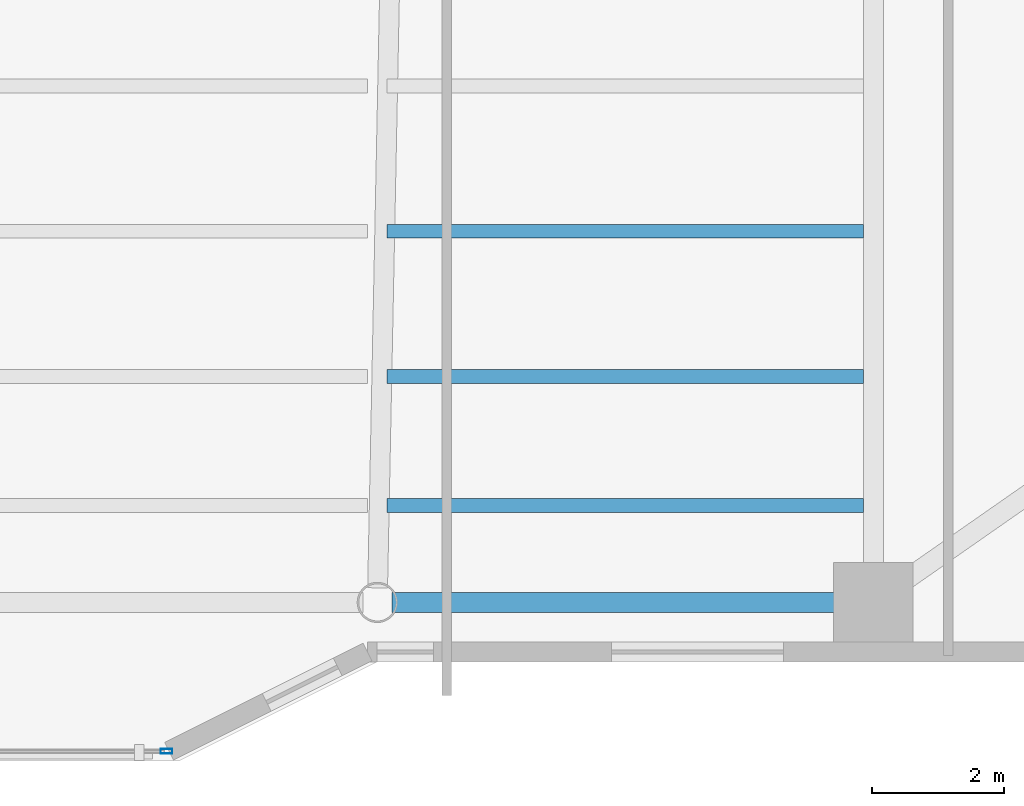
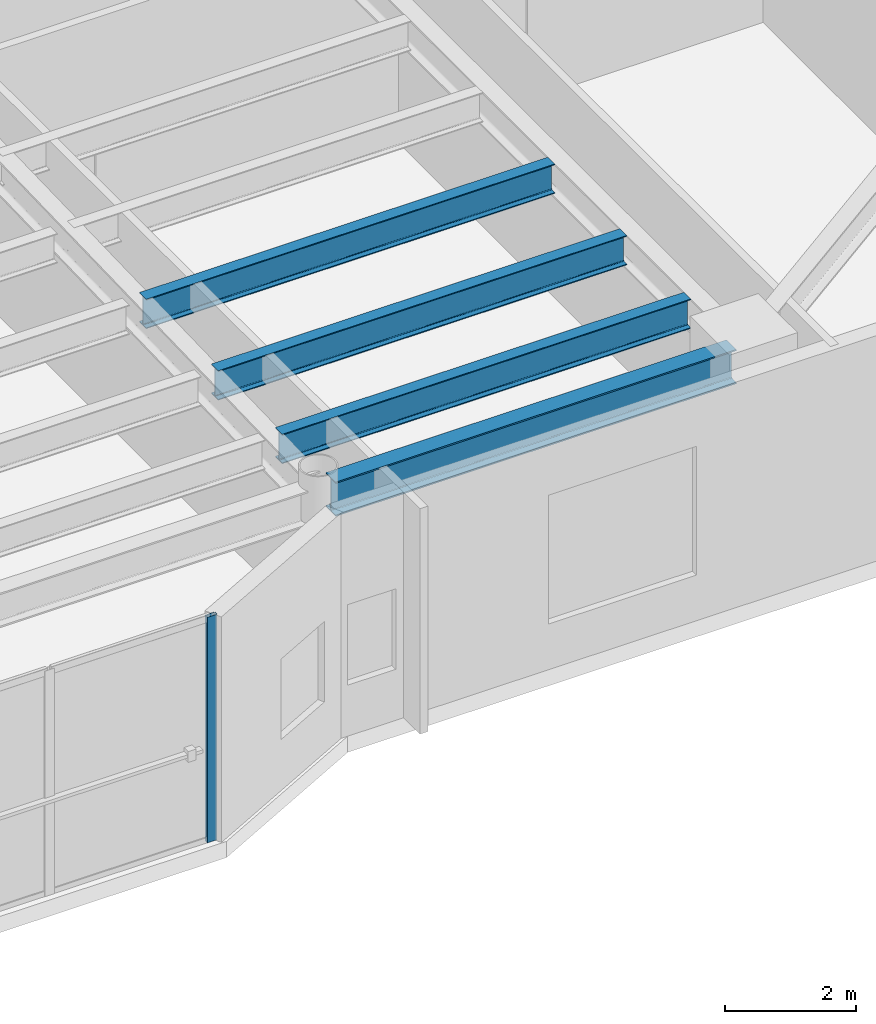
# One storey, part 11 of 40: 4 beams, 1 member, 1 element without a shape of its own.
"""IFC4 building model written with IfcOpenShell, lengths in metres."""

from ifc_helpers import new_model, si_unit, direction, frame, origin, origin_2d, place, context, subcontext, project, spatial, hollow_rectangle, i_section, extrude, material, layer, layer_set, material_profile, profile_set, type_object, element, aggregate, save


model = new_model("IFC4")

# Units and contexts
model_context = context("Model", 3, precision=1e-05, world=origin(), true_north=direction((0.0, 1.0)))
body_context = subcontext(model_context, "Body", "Model", "MODEL_VIEW")
ifc_project = project(units=[si_unit("LENGTHUNIT", "METRE"), si_unit("AREAUNIT", "SQUARE_METRE"), si_unit("VOLUMEUNIT", "CUBIC_METRE"), si_unit("PLANEANGLEUNIT", "RADIAN"), si_unit("MASSUNIT", "GRAM", prefix="KILO")], contexts=[model_context])

# Site, building, storey
site_placement = place(None, origin())
site = spatial("IfcSite", under=ifc_project, at=site_placement, CompositionType="ELEMENT")
building_placement = place(site_placement, origin())
building = spatial("IfcBuilding", under=site, at=building_placement, Name="Tarnavaz Court Tower", CompositionType="ELEMENT")
storey_placement = place(building_placement, frame((0.0, 0.0, 64.199951171875)))
storey = spatial("IfcBuildingStorey", under=building, at=storey_placement, Name="L17", CompositionType="ELEMENT", Elevation=64.199951171875)

# Beams
ifc_material_1 = material(Name="Steel S355", Category="steel")
ifc_material_profile_1 = material_profile(ifc_material_1, i_section(OverallWidth=0.2099609375, OverallDepth=0.550048828125, WebThickness=0.010986328125, FlangeThickness=0.01708984375, FilletRadius=0.02392578125, at=origin_2d()), Name="IPE 550")
ifc_profile_set_1 = profile_set([ifc_material_profile_1], Name="Steel S355")
beam_type_1 = type_object("IfcBeamType", Name="BM-J-IPE550", PredefinedType="JOIST", material=ifc_profile_set_1)
for number, where, z_axis, x_axis, name in (
    (1, (7.64990234375, -17.18798828125, 3.925048828125), (1.0, 0.0, 0.0), (0.0, 1.0, 0.0), "L17 Beam JS3-3"),
    (2, (7.64990234375, -19.384033203125, 3.925048828125), (1.0, 0.0, 0.0), (0.0, 1.0, 0.0), "L17 Beam JS4-3"),
    (3, (7.64990234375, -21.3359375, 3.925048828125), (1.0, 0.0, 0.0), (0.0, 1.0, 0.0), "L17 Beam JS5-3"),
):
    element("IfcBeam", number, at=place(storey_placement, frame(where, z_axis=z_axis, x_axis=x_axis)), inside=storey, type_object=beam_type_1, Name=name, PredefinedType="JOIST", context=body_context, shape_type="SweptSolid", body=[
        extrude(i_section(OverallWidth=0.2099609375, OverallDepth=0.550048828125, WebThickness=0.010986328125, FlangeThickness=0.01708984375, FilletRadius=0.02392578125, at=origin_2d()), origin(), (0.0, 0.0, 1.0), 7.2001953125),
    ])
ifc_material_profile_2 = material_profile(ifc_material_1, i_section(OverallWidth=0.300048828125, OverallDepth=0.639892578125, WebThickness=0.013427734375, FlangeThickness=0.02587890625, FilletRadius=0.027099609375, at=origin_2d()), Name="HEA 650")
ifc_profile_set_2 = profile_set([ifc_material_profile_2], Name="Steel S355")
beam_type_2 = type_object("IfcBeamType", Name="BM-SP-HEA650", PredefinedType="SPANDREL", material=ifc_profile_set_2)
beam_placement = place(storey_placement, frame((7.719970703125, -22.800048828125, 3.880126953125), z_axis=(1.0, 0.0, 0.0), x_axis=(0.0, 1.0, 0.0)))
element("IfcBeam", 4, at=beam_placement, inside=storey, type_object=beam_type_2, Name="L17 Beam PR-PS-3-PS-4", PredefinedType="SPANDREL", context=body_context, shape_type="SweptSolid", body=[
    extrude(i_section(OverallWidth=0.300048828125, OverallDepth=0.639892578125, WebThickness=0.013427734375, FlangeThickness=0.02587890625, FilletRadius=0.027099609375, at=origin_2d()), origin(), (0.0, 0.0, 1.0), 7.06005859375),
])

# Curtain wall, member
ifc_material_2 = material(Name="Anodised Aluminium 6063-T6 and Solar Low-E Glazing", Category="aluminium")
ifc_layer = layer(ifc_material_2, 0.179931640625)
ifc_layer_set = layer_set([ifc_layer], Name="Anodised Aluminium 6063-T6 and Solar Low-E Glazing")
curtain_wall_type = type_object("IfcCurtainWallType", Name="CW-SYS-02", PredefinedType="NOTDEFINED", material=ifc_layer_set)
curtain_wall_placement = place(storey_placement, origin())
curtain_wall = element("IfcCurtainWall", 5, at=curtain_wall_placement, inside=storey, type_object=curtain_wall_type, Name="L17 Iwan Prow Curtain Wall 17", PredefinedType="NOTDEFINED")
ifc_material_3 = material(Name="Anodised Aluminium 6063-T6", Category="aluminium")
ifc_material_profile_3 = material_profile(ifc_material_3, hollow_rectangle(XDim=0.074951171875, YDim=0.179931640625, WallThickness=0.0048828125, InnerFilletRadius=0.0048828125, OuterFilletRadius=0.010009765625, at=origin_2d()), Name="ALU RHS 180X75X5")
ifc_profile_set_3 = profile_set([ifc_material_profile_3], Name="Anodised Aluminium 6063-T6")
member_type = type_object("IfcMemberType", Name="CW-MUL-180", PredefinedType="MULLION", material=ifc_profile_set_3)
member_placement = place(storey_placement, frame((4.3125, -25.050048828125, 0.0), z_axis=(0.0, 0.0, 1.0), x_axis=(0.0, -1.0, 0.0)))
member = element("IfcMember", 6, at=member_placement, type_object=member_type, Name="CW mullion 1", PredefinedType="MULLION", context=body_context, shape_type="SweptSolid", body=[
    extrude(hollow_rectangle(XDim=0.074951171875, YDim=0.179931640625, WallThickness=0.0048828125, InnerFilletRadius=0.0048828125, OuterFilletRadius=0.010009765625, at=origin_2d()), origin(), (0.0, 0.0, 1.0), 4.199951171875),
])
aggregate(curtain_wall, [member])

save(model, "model.ifc")
